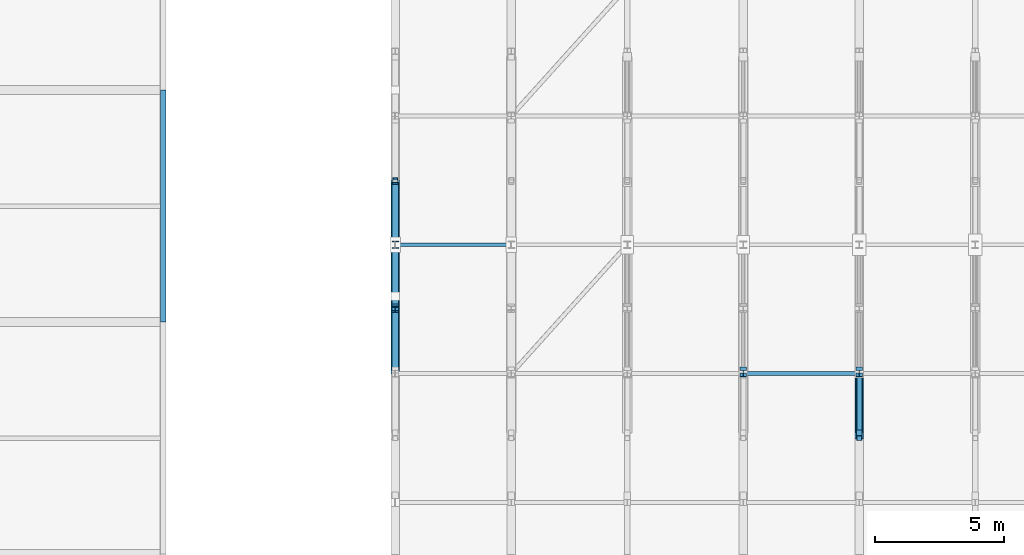
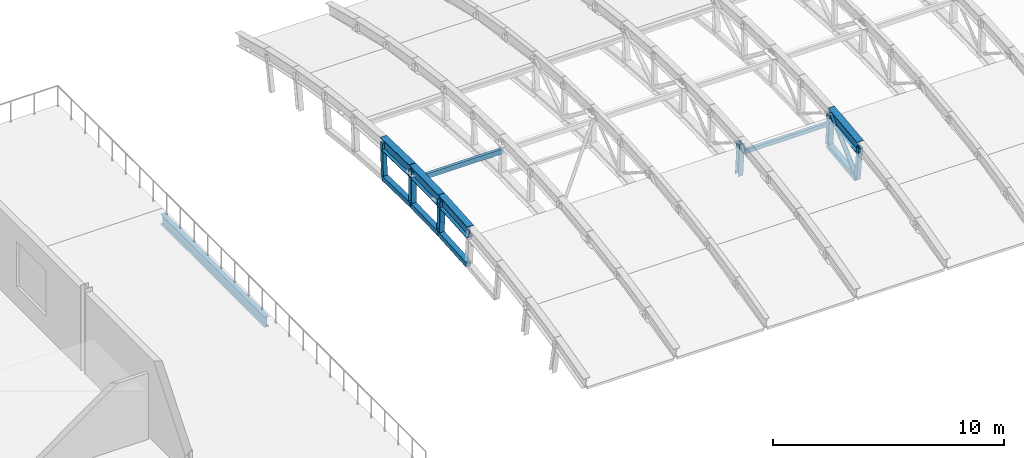
# One storey, part 8 of 53: 13 members, 5 beams.
"""IFC4 building model written with IfcOpenShell, lengths in metres."""

from ifc_helpers import new_model, si_unit, direction, frame, origin, origin_2d, place, context, subcontext, project, spatial, hollow_rectangle, hollow_circle, i_section, extrude, material, material_profile, profile_set, type_object, element, save


model = new_model("IFC4")

# Units and contexts
model_context = context("Model", 3, precision=1e-05, world=origin(), true_north=direction((0.0, 1.0)))
body_context = subcontext(model_context, "Body", "Model", "MODEL_VIEW")
ifc_project = project(units=[si_unit("LENGTHUNIT", "METRE"), si_unit("AREAUNIT", "SQUARE_METRE"), si_unit("VOLUMEUNIT", "CUBIC_METRE"), si_unit("PLANEANGLEUNIT", "RADIAN"), si_unit("MASSUNIT", "GRAM", prefix="KILO")], contexts=[model_context])

# Site, building, storey
site_placement = place(None, origin())
site = spatial("IfcSite", under=ifc_project, at=site_placement, CompositionType="ELEMENT")
building_placement = place(site_placement, origin())
building = spatial("IfcBuilding", under=site, at=building_placement, Name="Cazmaro Siding Exhibition Halls", CompositionType="ELEMENT")
storey_placement = place(building_placement, frame((0.0, 0.0, 21.0)))
storey = spatial("IfcBuildingStorey", under=building, at=storey_placement, Name="L04", CompositionType="ELEMENT", Elevation=21.0)

# Beams
ifc_material_1 = material(Name="Steel ASTM A992 Grade 50", Category="steel")
ifc_material_profile_1 = material_profile(ifc_material_1, i_section(OverallWidth=0.327880859375, OverallDepth=0.626953125, WebThickness=0.01708984375, FlangeThickness=0.028076171875, at=origin_2d()), Name="W24X146")
ifc_profile_set_1 = profile_set([ifc_material_profile_1], Name="Steel ASTM A992 Grade 50")
beam_type_1 = type_object("IfcBeamType", Name="AR-01", PredefinedType="USERDEFINED", material=ifc_profile_set_1)
beam_1_placement = place(storey_placement, frame((45.0, 89.0, 2.26611328125), z_axis=(0.0, 0.997537204184, 0.070139334669), x_axis=(-1.0, 0.0, 0.0)))
element("IfcBeam", 1, at=beam_1_placement, inside=storey, type_object=beam_type_1, Name="Space frame barrel vault arched rib AR-01 BM-0545", ObjectType="ARCHED RIB", PredefinedType="USERDEFINED", context=body_context, shape_type="SweptSolid", body=[
    extrude(i_section(OverallWidth=0.327880859375, OverallDepth=0.626953125, WebThickness=0.01708984375, FlangeThickness=0.028076171875, at=origin_2d()), origin(), (0.0, 0.0, 1.0), 2.506103515625),
])
for number, where, z_axis, x_axis, name in (
    (2, (45.0, 91.5, 2.44189453125), (0.0, 0.999730009742, 0.023235912336), (-1.0, 0.0, 0.0), "Space frame barrel vault arched rib AR-01 BM-0546"),
    (3, (45.0, 94.0, 2.5), (0.0, 0.999730009742, -0.023235912336), (-1.0, 0.0, 0.0), "Space frame barrel vault arched rib AR-01 BM-0547"),
):
    element("IfcBeam", number, at=place(storey_placement, frame(where, z_axis=z_axis, x_axis=x_axis)), inside=storey, type_object=beam_type_1, Name=name, ObjectType="ARCHED RIB", PredefinedType="USERDEFINED", context=body_context, shape_type="SweptSolid", body=[
        extrude(i_section(OverallWidth=0.327880859375, OverallDepth=0.626953125, WebThickness=0.01708984375, FlangeThickness=0.028076171875, at=origin_2d()), origin(), (0.0, 0.0, 1.0), 2.500732421875),
    ])
ifc_material_2 = material(Name="Steel ASTM A992 Grade 50", Category="steel")
ifc_material_profile_2 = material_profile(ifc_material_2, i_section(OverallWidth=0.324951171875, OverallDepth=0.612060546875, WebThickness=0.012939453125, FlangeThickness=0.01904296875, at=origin_2d()), Name="W24X104")
ifc_profile_set_2 = profile_set([ifc_material_profile_2], Name="Steel ASTM A992 Grade 50")
beam_type_2 = type_object("IfcBeamType", Name="AR-02", PredefinedType="USERDEFINED", material=ifc_profile_set_2)
beam_2_placement = place(storey_placement, frame((63.0, 86.5, 1.971923828125), z_axis=(0.0, 0.993147293786, 0.116869383693), x_axis=(-1.0, 0.0, 0.0)))
element("IfcBeam", 4, at=beam_2_placement, inside=storey, type_object=beam_type_2, Name="Space frame barrel vault arched rib AR-02 BM-0640", ObjectType="ARCHED RIB", PredefinedType="USERDEFINED", context=body_context, shape_type="SweptSolid", body=[
    extrude(i_section(OverallWidth=0.324951171875, OverallDepth=0.612060546875, WebThickness=0.012939453125, FlangeThickness=0.01904296875, at=origin_2d()), origin(), (0.0, 0.0, 1.0), 2.517333984375),
])
ifc_material_3 = material(Name="Steel ASTM A992 Grade 50", Category="steel")
ifc_material_profile_3 = material_profile(ifc_material_3, i_section(OverallWidth=0.214111328125, OverallDepth=0.549072265625, WebThickness=0.014892578125, FlangeThickness=0.02392578125, at=origin_2d()), Name="W21X93")
ifc_profile_set_3 = profile_set([ifc_material_profile_3], Name="Steel ASTM A992 Grade 50")
beam_type_3 = type_object("IfcBeamType", Name="B-01", PredefinedType="BEAM", material=ifc_profile_set_3)
beam_3_placement = place(storey_placement, frame((36.0, 91.0, -0.5439453125), z_axis=(0.0, 1.0, 0.0), x_axis=(-1.0, 0.0, 0.0)))
element("IfcBeam", 5, at=beam_3_placement, inside=storey, type_object=beam_type_3, Name="Beam B-01 BM-2356", PredefinedType="BEAM", context=body_context, shape_type="SweptSolid", body=[
    extrude(i_section(OverallWidth=0.214111328125, OverallDepth=0.549072265625, WebThickness=0.014892578125, FlangeThickness=0.02392578125, at=origin_2d()), origin(), (0.0, 0.0, 1.0), 9.0),
])

# Members
ifc_material_4 = material(Name="Steel ASTM A500 Grade C", Category="steel")
ifc_material_profile_4 = material_profile(ifc_material_4, hollow_rectangle(XDim=0.152099609375, YDim=0.202880859375, WallThickness=0.011962890625, at=origin_2d()), Name="HSS8X6X1/2")
ifc_profile_set_4 = profile_set([ifc_material_profile_4], Name="Steel ASTM A500 Grade C")
member_type_1 = type_object("IfcMemberType", Name="RP-01", PredefinedType="PURLIN", material=ifc_profile_set_4)
member_1_placement = place(storey_placement, frame((58.5, 89.0, 1.72607421875), z_axis=(1.0, 0.0, 0.0), x_axis=(0.0, 1.0, 0.0)))
element("IfcMember", 6, at=member_1_placement, inside=storey, type_object=member_type_1, Name="Space frame barrel vault purlin RP-01 MEM-2007", PredefinedType="PURLIN", context=body_context, shape_type="SweptSolid", body=[
    extrude(hollow_rectangle(XDim=0.152099609375, YDim=0.202880859375, WallThickness=0.011962890625, at=origin_2d()), origin(), (0.0, 0.0, 1.0), 4.5),
])
ifc_material_5 = material(Name="Steel ASTM A500 Grade C", Category="steel")
ifc_material_profile_5 = material_profile(ifc_material_5, hollow_rectangle(XDim=0.152099609375, YDim=0.25390625, WallThickness=0.011962890625, at=origin_2d()), Name="HSS10X6X1/2")
ifc_profile_set_5 = profile_set([ifc_material_profile_5], Name="Steel ASTM A500 Grade C")
member_type_2 = type_object("IfcMemberType", Name="RP-04", PredefinedType="PURLIN", material=ifc_profile_set_5)
member_2_placement = place(storey_placement, frame((45.0, 94.0, 1.9599609375), z_axis=(1.0, 0.0, 0.0), x_axis=(0.0, 1.0, 0.0)))
element("IfcMember", 7, at=member_2_placement, inside=storey, type_object=member_type_2, Name="Space frame barrel vault purlin RP-04 MEM-1969", PredefinedType="PURLIN", context=body_context, shape_type="SweptSolid", body=[
    extrude(hollow_rectangle(XDim=0.152099609375, YDim=0.25390625, WallThickness=0.011962890625, at=origin_2d()), origin(), (0.0, 0.0, 1.0), 4.5),
])
ifc_material_6 = material(Name="Steel ASTM A500 Grade C", Category="steel")
ifc_material_profile_6 = material_profile(ifc_material_6, hollow_rectangle(XDim=0.25390625, YDim=0.25390625, WallThickness=0.014892578125, at=origin_2d()), Name="HSS10X10X5/8")
ifc_profile_set_6 = profile_set([ifc_material_profile_6], Name="Steel ASTM A500 Grade C")
member_type_3 = type_object("IfcMemberType", Name="TC-01", PredefinedType="CHORD", material=ifc_profile_set_6)
member_3_placement = place(storey_placement, frame((45.0, 89.139892578125, 0.472900390625), z_axis=(0.0, 0.997529419526, 0.070249962135), x_axis=(-1.0, 0.0, 0.0)))
element("IfcMember", 8, at=member_3_placement, inside=storey, type_object=member_type_3, Name="Space frame barrel vault bottom chord TC-01 MEM-0011", PredefinedType="CHORD", context=body_context, shape_type="SweptSolid", body=[
    extrude(hollow_rectangle(XDim=0.25390625, YDim=0.25390625, WallThickness=0.014892578125, at=origin_2d()), origin(), (0.0, 0.0, 1.0), 2.436279296875),
])
for number, where, z_axis, x_axis, name in (
    (9, (45.0, 91.570068359375, 0.64404296875), (0.0, 0.99973541783, 0.023002050707), (-1.0, 0.0, 0.0), "Space frame barrel vault bottom chord TC-01 MEM-0012"),
    (10, (45.0, 94.0, 0.699951171875), (0.0, 0.99973541783, -0.023002050707), (-1.0, 0.0, 0.0), "Space frame barrel vault bottom chord TC-01 MEM-0013"),
):
    element("IfcMember", number, at=place(storey_placement, frame(where, z_axis=z_axis, x_axis=x_axis)), inside=storey, type_object=member_type_3, Name=name, PredefinedType="CHORD", context=body_context, shape_type="SweptSolid", body=[
        extrude(hollow_rectangle(XDim=0.25390625, YDim=0.25390625, WallThickness=0.014892578125, at=origin_2d()), origin(), (0.0, 0.0, 1.0), 2.4306640625),
    ])
member_4_placement = place(storey_placement, frame((63.0, 86.7099609375, 0.18701171875), z_axis=(0.0, 0.993149923187, 0.116847037079), x_axis=(-1.0, 0.0, 0.0)))
element("IfcMember", 11, at=member_4_placement, inside=storey, type_object=member_type_3, Name="Space frame barrel vault bottom chord TC-01 MEM-0255", PredefinedType="CHORD", context=body_context, shape_type="SweptSolid", body=[
    extrude(hollow_rectangle(XDim=0.25390625, YDim=0.25390625, WallThickness=0.014892578125, at=origin_2d()), origin(), (0.0, 0.0, 1.0), 2.44677734375),
])
ifc_material_7 = material(Name="Steel ASTM A500 Grade C", Category="steel")
ifc_material_profile_7 = material_profile(ifc_material_7, hollow_rectangle(XDim=0.202880859375, YDim=0.202880859375, WallThickness=0.011962890625, at=origin_2d()), Name="HSS8X8X1/2")
ifc_profile_set_7 = profile_set([ifc_material_profile_7], Name="Steel ASTM A500 Grade C")
member_type_4 = type_object("IfcMemberType", Name="TP-01", PredefinedType="POST", material=ifc_profile_set_7)
member_5_placement = place(storey_placement, frame((45.0, 96.429931640625, 0.64404296875), z_axis=(0.0, 0.038943818889, 0.999241401749), x_axis=(-1.0, 0.0, 0.0)))
element("IfcMember", 12, at=member_5_placement, inside=storey, type_object=member_type_4, Name="Space frame barrel vault post TP-01 MEM-0037", PredefinedType="POST", context=body_context, shape_type="SweptSolid", body=[
    extrude(hollow_rectangle(XDim=0.202880859375, YDim=0.202880859375, WallThickness=0.011962890625, at=origin_2d()), origin(), (0.0, 0.0, 1.0), 1.79931640625),
])
member_6_placement = place(storey_placement, frame((63.0, 86.7099609375, 0.18701171875), z_axis=(0.0, -0.116825484133, 0.993152458718), x_axis=(1.0, 0.0, 0.0)))
element("IfcMember", 13, at=member_6_placement, inside=storey, type_object=member_type_4, Name="Space frame barrel vault post TP-01 MEM-0293", PredefinedType="POST", context=body_context, shape_type="SweptSolid", body=[
    extrude(hollow_rectangle(XDim=0.202880859375, YDim=0.202880859375, WallThickness=0.011962890625, at=origin_2d()), origin(), (0.0, 0.0, 1.0), 1.797119140625),
])
ifc_material_8 = material(Name="Steel ASTM A992 Grade 50", Category="steel")
ifc_material_profile_8 = material_profile(ifc_material_8, i_section(OverallWidth=0.25390625, OverallDepth=0.25390625, WebThickness=0.009033203125, FlangeThickness=0.013916015625, at=origin_2d()), Name="W10X49")
ifc_profile_set_8 = profile_set([ifc_material_profile_8], Name="Steel ASTM A992 Grade 50")
member_type_5 = type_object("IfcMemberType", Name="TP-04", PredefinedType="POST", material=ifc_profile_set_8)
member_7_placement = place(storey_placement, frame((45.0, 91.570068359375, 0.64404296875), z_axis=(0.0, -0.038943818889, 0.999241401749), x_axis=(1.0, 0.0, 0.0)))
element("IfcMember", 14, at=member_7_placement, inside=storey, type_object=member_type_5, Name="Space frame barrel vault post TP-04 MEM-0035", PredefinedType="POST", context=body_context, shape_type="SweptSolid", body=[
    extrude(i_section(OverallWidth=0.25390625, OverallDepth=0.25390625, WebThickness=0.009033203125, FlangeThickness=0.013916015625, at=origin_2d()), origin(), (0.0, 0.0, 1.0), 1.79931640625),
])
member_8_placement = place(storey_placement, frame((45.0, 94.0, 0.699951171875), z_axis=(0.0, 0.0, 1.0), x_axis=(1.0, 0.0, 0.0)))
element("IfcMember", 15, at=member_8_placement, inside=storey, type_object=member_type_5, Name="Space frame barrel vault post TP-04 MEM-0036", PredefinedType="POST", context=body_context, shape_type="SweptSolid", body=[
    extrude(i_section(OverallWidth=0.25390625, OverallDepth=0.25390625, WebThickness=0.009033203125, FlangeThickness=0.013916015625, at=origin_2d()), origin(), (0.0, 0.0, 1.0), 1.800048828125),
])
for number, where, z_axis, x_axis, name in (
    (16, (58.5, 89.139892578125, 0.472900390625), (0.0, -0.077775943468, 0.996970863475), (1.0, 0.0, 0.0), "Space frame barrel vault post TP-04 MEM-0223"),
    (17, (63.0, 89.139892578125, 0.472900390625), (0.0, -0.077775943468, 0.996970863475), (1.0, 0.0, 0.0), "Space frame barrel vault post TP-04 MEM-0294"),
):
    element("IfcMember", number, at=place(storey_placement, frame(where, z_axis=z_axis, x_axis=x_axis)), inside=storey, type_object=member_type_5, Name=name, PredefinedType="POST", context=body_context, shape_type="SweptSolid", body=[
        extrude(i_section(OverallWidth=0.25390625, OverallDepth=0.25390625, WebThickness=0.009033203125, FlangeThickness=0.013916015625, at=origin_2d()), origin(), (0.0, 0.0, 1.0), 1.798583984375),
    ])
ifc_material_9 = material(Name="Steel ASTM A500 Grade C", Category="steel")
ifc_material_profile_9 = material_profile(ifc_material_9, hollow_circle(Radius=0.109619140625, WallThickness=0.012939453125, at=origin_2d()), Name="PIPE8XS")
ifc_profile_set_9 = profile_set([ifc_material_profile_9], Name="Steel ASTM A500 Grade C")
member_type_6 = type_object("IfcMemberType", Name="WB-01", PredefinedType="BRACE", material=ifc_profile_set_9)
member_9_placement = place(storey_placement, frame((63.0, 86.7099609375, 0.18701171875), z_axis=(0.0, 0.740382789782, 0.672185483772), x_axis=(-1.0, 0.0, 0.0)))
element("IfcMember", 18, at=member_9_placement, inside=storey, type_object=member_type_6, Name="Space frame barrel vault diagonal WB-01 MEM-0256", PredefinedType="BRACE", context=body_context, shape_type="SweptSolid", body=[
    extrude(hollow_circle(Radius=0.109619140625, WallThickness=0.012939453125, at=origin_2d()), origin(), (0.0, 0.0, 1.0), 3.093017578125),
])

save(model, "model.ifc")
